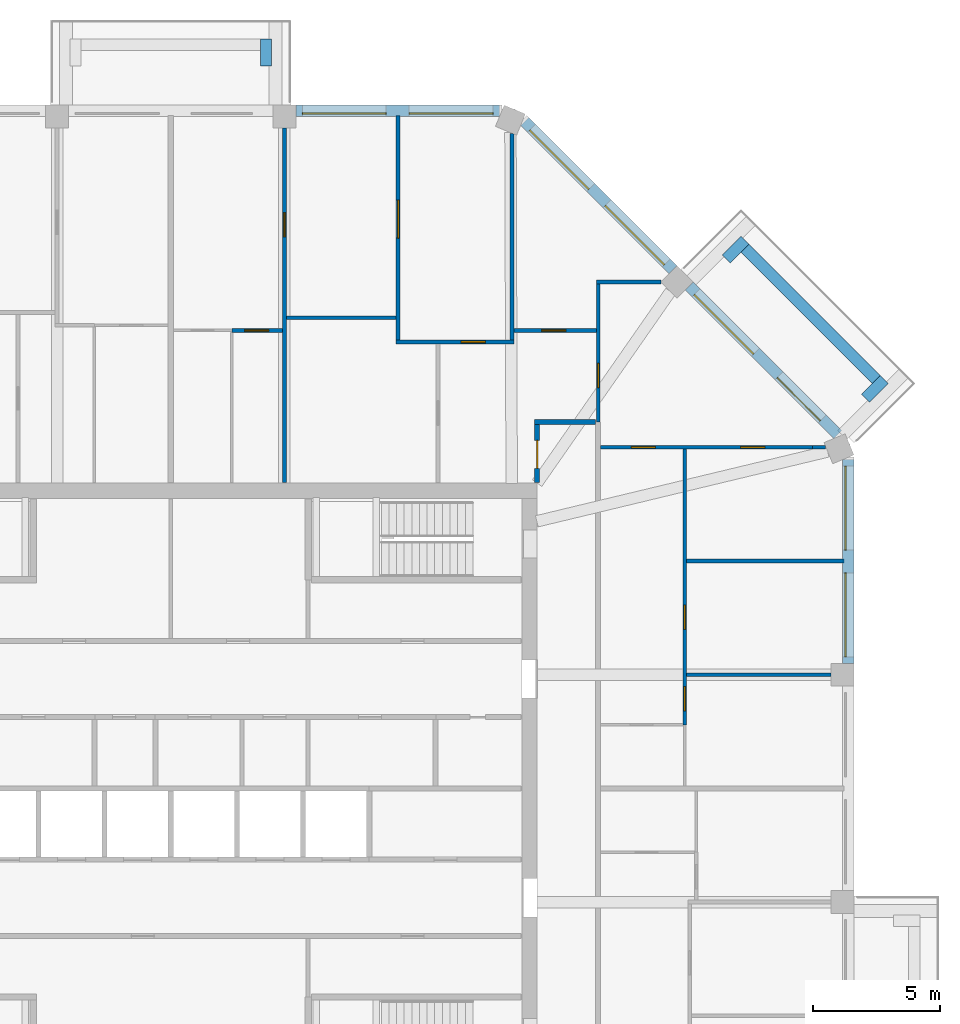
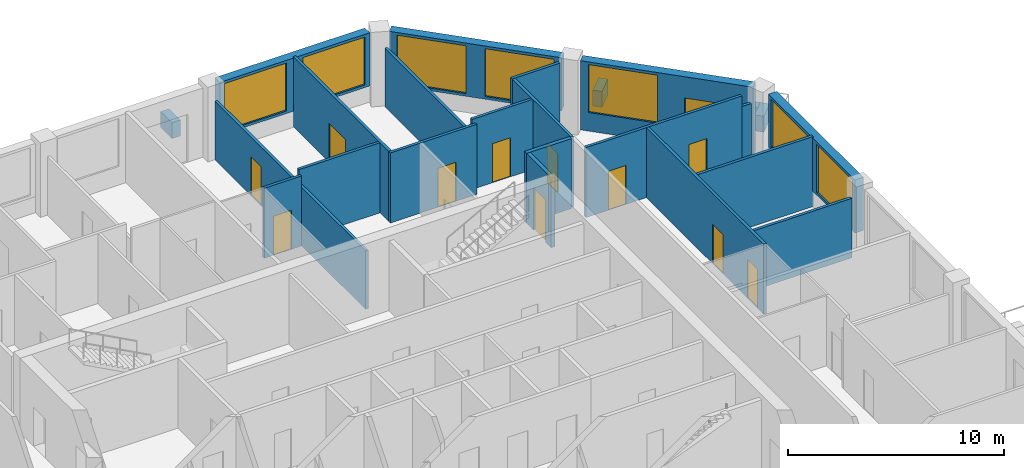
# One storey, part 9 of 11: 24 walls, 12 doors, 7 windows, 19 openings.
"""IFC4 building model written with IfcOpenShell, lengths in metres."""

from ifc_helpers import new_model, si_unit, direction, frame, frame_2d, origin, place, context, subcontext, project, spatial, rectangle, extrude, material, layer, layer_set, type_object, element, fill, save


model = new_model("IFC4")

# Units and contexts
model_context = context("Model", 3, precision=1e-05, world=origin(), true_north=direction((0.0, 1.0)))
body_context = subcontext(model_context, "Body", "Model", "MODEL_VIEW")
ifc_project = project(units=[si_unit("LENGTHUNIT", "METRE"), si_unit("AREAUNIT", "SQUARE_METRE"), si_unit("VOLUMEUNIT", "CUBIC_METRE"), si_unit("PLANEANGLEUNIT", "RADIAN"), si_unit("MASSUNIT", "GRAM", prefix="KILO")], contexts=[model_context])

# Site, building, storey
site_placement = place(None, origin())
site = spatial("IfcSite", under=ifc_project, at=site_placement, CompositionType="ELEMENT")
building_placement = place(site_placement, origin())
building = spatial("IfcBuilding", under=site, at=building_placement, Name="Msitu Wima Residences", CompositionType="ELEMENT")
storey_placement = place(building_placement, frame((0.0, 0.0, 234.89990234375)))
storey = spatial("IfcBuildingStorey", under=building, at=storey_placement, Name="L54", CompositionType="ELEMENT", Elevation=234.89990234375)

# Walls
ifc_material_1 = material(Name="Facing brick")
ifc_layer_1 = layer(ifc_material_1, 0.06494140625, Name="Facing brick")
ifc_material_2 = material(Name="Concrete C40/50", Category="concrete")
ifc_layer_2 = layer(ifc_material_2, 0.156005859375, Name="Concrete C40/50")
ifc_material_3 = material(Name="Waterproofing membrane")
ifc_layer_3 = layer(ifc_material_3, 0.00390625, Name="Waterproofing membrane")
ifc_material_4 = material(Name="Planting soil and planting")
ifc_layer_4 = layer(ifc_material_4, 0.22509765625, Name="Planting soil and planting")
ifc_layer_set_1 = layer_set([ifc_layer_1, ifc_layer_2, ifc_layer_3, ifc_layer_4], Name="Concrete C40/50")
wall_type_1 = type_object("IfcWallType", Name="Balcony planter PLANTER PL450", PredefinedType="USERDEFINED", material=ifc_layer_set_1)
wall_1_placement = place(storey_placement, frame((27.725830078125, 16.0751953125, 0.0), z_axis=(0.0, 0.0, 1.0), x_axis=(-0.707106781187, 0.707106781187, 0.0)))
element("IfcWall", 1, at=wall_1_placement, inside=storey, type_object=wall_type_1, Name="Balcony planter NE0 L54", ObjectType="PLANTER", PredefinedType="USERDEFINED", context=body_context, shape_type="SweptSolid", body=[
    extrude(rectangle(XDim=7.288330078125, YDim=0.449951171875, at=frame_2d((3.64404296875, 0.0))), origin(), (0.0, 0.0, 1.0), 0.900146484375),
])
for number, where, z_axis, x_axis, name in (
    (2, (27.301513671875, 15.332763671875, 0.0), (0.0, 0.0, 1.0), (0.707106781187, 0.707106781187, 0.0), "Balcony planter NE0 L54"),
    (3, (21.829833984375, 20.804443359375, 0.0), (0.0, 0.0, 1.0), (0.707106781187, 0.707106781187, 0.0), "Balcony planter NE0 L54"),
    (4, (3.74365234375, 28.39990234375, 0.0), (0.0, 0.0, 1.0), (0.0, 1.0, 0.0), "Balcony planter N1 L54"),
):
    element("IfcWall", number, at=place(storey_placement, frame(where, z_axis=z_axis, x_axis=x_axis)), inside=storey, type_object=wall_type_1, Name=name, ObjectType="PLANTER", PredefinedType="USERDEFINED", context=body_context, shape_type="SweptSolid", body=[
        extrude(rectangle(XDim=1.050048828125, YDim=0.449951171875, at=frame_2d((0.52490234375, 0.0))), origin(), (0.0, 0.0, 1.0), 0.900146484375),
    ])

# Wall, openings, windows
ifc_material_5 = material(Name="Brick (red buff mix)", Category="masonry")
ifc_layer_5 = layer(ifc_material_5, 0.449951171875)
ifc_layer_set_2 = layer_set([ifc_layer_5], Name="Brick (red buff mix)")
wall_type_2 = type_object("IfcWallType", Name="Brick infill wall BW450", PredefinedType="SOLIDWALL", material=ifc_layer_set_2)
wall_2_placement = place(storey_placement, frame((26.625, 4.918701171875, 0.900146484375), z_axis=(0.0, 0.0, 1.0), x_axis=(0.0, 1.0, 0.0)))
wall_2 = element("IfcWall", 5, at=wall_2_placement, inside=storey, type_object=wall_type_2, Name="Brick infill wall L54 E2", PredefinedType="SOLIDWALL", context=body_context, shape_type="SweptSolid", body=[
    extrude(rectangle(XDim=8.0, YDim=0.449951171875, at=frame_2d((4.0, 0.0))), origin(), (0.0, 0.0, 1.0), 3.0),
])
opening_1_placement = place(wall_2_placement, frame((0.25, 0.0, 0.14990234375)))
opening_1 = element("IfcOpeningElement", 6, at=opening_1_placement, cuts=wall_2, Name="Opening W52-54.004", PredefinedType="OPENING", context=body_context, shape_type="SweptSolid", body=[
    extrude(rectangle(XDim=3.300048828125, YDim=2.699951171875, at=frame_2d((1.64990234375, 1.35009765625))), frame((0.0, 0.23486328125, 0.0), z_axis=(0.0, -1.0, 0.0), x_axis=(1.0, 0.0, 0.0)), (0.0, 0.0, 1.0), 0.469970703125),
])
opening_2_placement = place(wall_2_placement, frame((4.4501953125, 0.0, 0.14990234375)))
opening_2 = element("IfcOpeningElement", 7, at=opening_2_placement, cuts=wall_2, Name="Opening W52-54.005", PredefinedType="OPENING", context=body_context, shape_type="SweptSolid", body=[
    extrude(rectangle(XDim=3.300048828125, YDim=2.699951171875, at=frame_2d((1.64990234375, 1.35009765625))), frame((0.0, 0.23486328125, 0.0), z_axis=(0.0, -1.0, 0.0), x_axis=(1.0, 0.0, 0.0)), (0.0, 0.0, 1.0), 0.469970703125),
])
ifc_material_6 = material(Name="Anodised aluminium, bronze finish, clear low-emissivity double glazing", Category="aluminium")
window_type = type_object("IfcWindowType", Name="Window W3300x2700", PartitioningType="DOUBLE_PANEL_VERTICAL", PredefinedType="WINDOW", material=ifc_material_6)
window_1_placement = place(opening_1_placement, origin())
window_1 = element("IfcWindow", 8, at=window_1_placement, inside=storey, type_object=window_type, Name="Window L54 E2.1", OverallHeight=2.699951171875, OverallWidth=3.300048828125, PartitioningType="SINGLE_PANEL", PredefinedType="WINDOW", context=body_context, shape_type="SweptSolid", body=[
    extrude(rectangle(XDim=3.300048828125, YDim=2.699951171875, at=frame_2d((1.64990234375, 1.35009765625))), frame((0.0, 0.135009765625, 0.0), z_axis=(0.0, -1.0, 0.0), x_axis=(1.0, 0.0, 0.0)), (0.0, 0.0, 1.0), 0.06005859375),
])
fill(opening_1, window_1)
window_2_placement = place(opening_2_placement, origin())
window_2 = element("IfcWindow", 9, at=window_2_placement, inside=storey, type_object=window_type, Name="Window L54 E2.2", OverallHeight=2.699951171875, OverallWidth=3.300048828125, PartitioningType="SINGLE_PANEL", PredefinedType="WINDOW", context=body_context, shape_type="SweptSolid", body=[
    extrude(rectangle(XDim=3.300048828125, YDim=2.699951171875, at=frame_2d((1.64990234375, 1.35009765625))), frame((0.0, 0.135009765625, 0.0), z_axis=(0.0, -1.0, 0.0), x_axis=(1.0, 0.0, 0.0)), (0.0, 0.0, 1.0), 0.06005859375),
])
fill(opening_2, window_2)

# Wall, openings, door, window
wall_3_placement = place(storey_placement, frame((26.214599609375, 13.909423828125, 0.0), z_axis=(0.0, 0.0, 1.0), x_axis=(-0.707106781187, 0.707106781187, 0.0)))
wall_3 = element("IfcWall", 10, at=wall_3_placement, inside=storey, type_object=wall_type_2, Name="Brick infill wall L54 NE0", PredefinedType="SOLIDWALL", context=body_context, shape_type="SweptSolid", body=[
    extrude(rectangle(XDim=8.251220703125, YDim=0.449951171875, at=frame_2d((4.12548828125, 0.0))), origin(), (0.0, 0.0, 1.0), 3.900146484375),
])
opening_3_placement = place(wall_3_placement, frame((0.86279296875, 0.0, 0.0)))
opening_3 = element("IfcOpeningElement", 11, at=opening_3_placement, cuts=wall_3, Name="Opening D52-54.003", PredefinedType="OPENING", context=body_context, shape_type="SweptSolid", body=[
    extrude(rectangle(XDim=2.39990234375, YDim=2.699951171875, at=frame_2d((1.199951171875, 1.35009765625))), frame((0.0, 0.23486328125, 0.0), z_axis=(0.0, -1.0, 0.0), x_axis=(1.0, 0.0, 0.0)), (0.0, 0.0, 1.0), 0.469970703125),
])
opening_4_placement = place(wall_3_placement, frame((4.57568359375, 0.0, 1.050048828125)))
opening_4 = element("IfcOpeningElement", 12, at=opening_4_placement, cuts=wall_3, Name="Opening W52-54.011", PredefinedType="OPENING", context=body_context, shape_type="SweptSolid", body=[
    extrude(rectangle(XDim=3.300048828125, YDim=2.699951171875, at=frame_2d((1.64990234375, 1.35009765625))), frame((0.0, 0.23486328125, 0.0), z_axis=(0.0, -1.0, 0.0), x_axis=(1.0, 0.0, 0.0)), (0.0, 0.0, 1.0), 0.469970703125),
])
door_type_1 = type_object("IfcDoorType", Name="Balcony door D2400x2700", OperationType="SLIDING_TO_LEFT", PredefinedType="DOOR", material=ifc_material_6)
door_1_placement = place(opening_3_placement, origin())
door_1 = element("IfcDoor", 13, at=door_1_placement, inside=storey, type_object=door_type_1, Name="Balcony door L54 NE0", OperationType="SINGLE_SWING_LEFT", OverallHeight=2.699951171875, OverallWidth=2.39990234375, PredefinedType="DOOR", context=body_context, shape_type="SweptSolid", body=[
    extrude(rectangle(XDim=2.39990234375, YDim=2.699951171875, at=frame_2d((1.199951171875, 1.35009765625))), frame((0.0, 0.1298828125, 0.0), z_axis=(0.0, -1.0, 0.0), x_axis=(1.0, 0.0, 0.0)), (0.0, 0.0, 1.0), 0.050048828125),
])
fill(opening_3, door_1)
window_3_placement = place(opening_4_placement, origin())
window_3 = element("IfcWindow", 14, at=window_3_placement, inside=storey, type_object=window_type, Name="Window L54 NE0.2", OverallHeight=2.699951171875, OverallWidth=3.300048828125, PartitioningType="SINGLE_PANEL", PredefinedType="WINDOW", context=body_context, shape_type="SweptSolid", body=[
    extrude(rectangle(XDim=3.300048828125, YDim=2.699951171875, at=frame_2d((1.64990234375, 1.35009765625))), frame((0.0, 0.135009765625, 0.0), z_axis=(0.0, -1.0, 0.0), x_axis=(1.0, 0.0, 0.0)), (0.0, 0.0, 1.0), 0.06005859375),
])
fill(opening_4, window_3)

# Wall, openings, windows
wall_4_placement = place(storey_placement, frame((19.743896484375, 20.380126953125, 0.900146484375), z_axis=(0.0, 0.0, 1.0), x_axis=(-0.707106781187, 0.707106781187, 0.0)))
wall_4 = element("IfcWall", 15, at=wall_4_placement, inside=storey, type_object=wall_type_2, Name="Brick infill wall L54 NE1", PredefinedType="SOLIDWALL", context=body_context, shape_type="SweptSolid", body=[
    extrude(rectangle(XDim=8.251220703125, YDim=0.449951171875, at=frame_2d((4.12548828125, 0.0))), origin(), (0.0, 0.0, 1.0), 3.0),
])
opening_5_placement = place(wall_4_placement, frame((0.37548828125, 0.0, 0.14990234375)))
opening_5 = element("IfcOpeningElement", 16, at=opening_5_placement, cuts=wall_4, Name="Opening W52-54.012", PredefinedType="OPENING", context=body_context, shape_type="SweptSolid", body=[
    extrude(rectangle(XDim=3.300048828125, YDim=2.699951171875, at=frame_2d((1.64990234375, 1.35009765625))), frame((0.0, 0.23486328125, 0.0), z_axis=(0.0, -1.0, 0.0), x_axis=(1.0, 0.0, 0.0)), (0.0, 0.0, 1.0), 0.469970703125),
])
opening_6_placement = place(wall_4_placement, frame((4.57568359375, 0.0, 0.14990234375)))
opening_6 = element("IfcOpeningElement", 17, at=opening_6_placement, cuts=wall_4, Name="Opening W52-54.013", PredefinedType="OPENING", context=body_context, shape_type="SweptSolid", body=[
    extrude(rectangle(XDim=3.300048828125, YDim=2.699951171875, at=frame_2d((1.64990234375, 1.35009765625))), frame((0.0, 0.23486328125, 0.0), z_axis=(0.0, -1.0, 0.0), x_axis=(1.0, 0.0, 0.0)), (0.0, 0.0, 1.0), 0.469970703125),
])
window_4_placement = place(opening_5_placement, origin())
window_4 = element("IfcWindow", 18, at=window_4_placement, inside=storey, type_object=window_type, Name="Window L54 NE1.1", OverallHeight=2.699951171875, OverallWidth=3.300048828125, PartitioningType="SINGLE_PANEL", PredefinedType="WINDOW", context=body_context, shape_type="SweptSolid", body=[
    extrude(rectangle(XDim=3.300048828125, YDim=2.699951171875, at=frame_2d((1.64990234375, 1.35009765625))), frame((0.0, 0.135009765625, 0.0), z_axis=(0.0, -1.0, 0.0), x_axis=(1.0, 0.0, 0.0)), (0.0, 0.0, 1.0), 0.06005859375),
])
fill(opening_5, window_4)
window_5_placement = place(opening_6_placement, origin())
window_5 = element("IfcWindow", 19, at=window_5_placement, inside=storey, type_object=window_type, Name="Window L54 NE1.2", OverallHeight=2.699951171875, OverallWidth=3.300048828125, PartitioningType="SINGLE_PANEL", PredefinedType="WINDOW", context=body_context, shape_type="SweptSolid", body=[
    extrude(rectangle(XDim=3.300048828125, YDim=2.699951171875, at=frame_2d((1.64990234375, 1.35009765625))), frame((0.0, 0.135009765625, 0.0), z_axis=(0.0, -1.0, 0.0), x_axis=(1.0, 0.0, 0.0)), (0.0, 0.0, 1.0), 0.06005859375),
])
fill(opening_6, window_5)

wall_5_placement = place(storey_placement, frame((12.918701171875, 26.625, 0.900146484375), z_axis=(0.0, 0.0, 1.0), x_axis=(-1.0, 0.0, 0.0)))
wall_5 = element("IfcWall", 20, at=wall_5_placement, inside=storey, type_object=wall_type_2, Name="Brick infill wall L54 N0", PredefinedType="SOLIDWALL", context=body_context, shape_type="SweptSolid", body=[
    extrude(rectangle(XDim=8.0, YDim=0.449951171875, at=frame_2d((4.0, 0.0))), origin(), (0.0, 0.0, 1.0), 3.0),
])
opening_7_placement = place(wall_5_placement, frame((0.25, 0.0, 0.14990234375)))
opening_7 = element("IfcOpeningElement", 21, at=opening_7_placement, cuts=wall_5, Name="Opening W52-54.006", PredefinedType="OPENING", context=body_context, shape_type="SweptSolid", body=[
    extrude(rectangle(XDim=3.300048828125, YDim=2.699951171875, at=frame_2d((1.64990234375, 1.35009765625))), frame((0.0, 0.23486328125, 0.0), z_axis=(0.0, -1.0, 0.0), x_axis=(1.0, 0.0, 0.0)), (0.0, 0.0, 1.0), 0.469970703125),
])
opening_8_placement = place(wall_5_placement, frame((4.4501953125, 0.0, 0.14990234375)))
opening_8 = element("IfcOpeningElement", 22, at=opening_8_placement, cuts=wall_5, Name="Opening W52-54.007", PredefinedType="OPENING", context=body_context, shape_type="SweptSolid", body=[
    extrude(rectangle(XDim=3.300048828125, YDim=2.699951171875, at=frame_2d((1.64990234375, 1.35009765625))), frame((0.0, 0.23486328125, 0.0), z_axis=(0.0, -1.0, 0.0), x_axis=(1.0, 0.0, 0.0)), (0.0, 0.0, 1.0), 0.469970703125),
])
window_6_placement = place(opening_7_placement, origin())
window_6 = element("IfcWindow", 23, at=window_6_placement, inside=storey, type_object=window_type, Name="Window L54 N0.1", OverallHeight=2.699951171875, OverallWidth=3.300048828125, PartitioningType="SINGLE_PANEL", PredefinedType="WINDOW", context=body_context, shape_type="SweptSolid", body=[
    extrude(rectangle(XDim=3.300048828125, YDim=2.699951171875, at=frame_2d((1.64990234375, 1.35009765625))), frame((0.0, 0.135009765625, 0.0), z_axis=(0.0, -1.0, 0.0), x_axis=(1.0, 0.0, 0.0)), (0.0, 0.0, 1.0), 0.06005859375),
])
fill(opening_7, window_6)
window_7_placement = place(opening_8_placement, origin())
window_7 = element("IfcWindow", 24, at=window_7_placement, inside=storey, type_object=window_type, Name="Window L54 N0.2", OverallHeight=2.699951171875, OverallWidth=3.300048828125, PartitioningType="SINGLE_PANEL", PredefinedType="WINDOW", context=body_context, shape_type="SweptSolid", body=[
    extrude(rectangle(XDim=3.300048828125, YDim=2.699951171875, at=frame_2d((1.64990234375, 1.35009765625))), frame((0.0, 0.135009765625, 0.0), z_axis=(0.0, -1.0, 0.0), x_axis=(1.0, 0.0, 0.0)), (0.0, 0.0, 1.0), 0.06005859375),
])
fill(opening_8, window_7)

# Wall, opening, door
ifc_material_7 = material(Name="Plaster")
ifc_layer_6 = layer(ifc_material_7, 0.011962890625, Name="Plaster")
ifc_material_8 = material(Name="Concrete blockwork", Category="masonry")
ifc_layer_7 = layer(ifc_material_8, 0.176025390625, Name="Concrete blockwork")
ifc_layer_8 = layer(ifc_material_7, 0.011962890625, Name="Plaster")
ifc_layer_set_3 = layer_set([ifc_layer_6, ifc_layer_7, ifc_layer_8], Name="Concrete blockwork")
wall_type_3 = type_object("IfcWallType", Name="Corridor wall FW200", PredefinedType="PARTITIONING", material=ifc_layer_set_3)
wall_6_placement = place(storey_placement, frame((14.39990234375, 12.030029296875, 0.0), z_axis=(0.0, 0.0, 1.0), x_axis=(0.0, 1.0, 0.0)))
wall_6 = element("IfcWall", 25, at=wall_6_placement, inside=storey, type_object=wall_type_3, Name="Corridor wall", PredefinedType="PARTITIONING", context=body_context, shape_type="SweptSolid", body=[
    extrude(rectangle(XDim=2.27001953125, YDim=0.199951171875, at=frame_2d((1.135009765625, 0.0))), origin(), (0.0, 0.0, 1.0), 3.9501953125),
])
opening_9_placement = place(wall_6_placement, frame((0.550048828125, 0.0, 0.0)))
opening_9 = element("IfcOpeningElement", 26, at=opening_9_placement, cuts=wall_6, Name="Opening D52-54.008", PredefinedType="OPENING", context=body_context, shape_type="SweptSolid", body=[
    extrude(rectangle(XDim=1.10009765625, YDim=2.39990234375, at=frame_2d((0.550048828125, 1.199951171875))), frame((0.0, 0.10986328125, 0.0), z_axis=(0.0, -1.0, 0.0), x_axis=(1.0, 0.0, 0.0)), (0.0, 0.0, 1.0), 0.219970703125),
])
ifc_material_9 = material(Name="Timber flush door, fire resisting, self-closing", Category="wood")
door_type_2 = type_object("IfcDoorType", Name="Flat entrance door D01 1100x2400", OperationType="SINGLE_SWING_LEFT", PredefinedType="DOOR", material=ifc_material_9)
door_2_placement = place(opening_9_placement, origin())
door_2 = element("IfcDoor", 27, at=door_2_placement, inside=storey, type_object=door_type_2, Name="Flat entrance door", OperationType="SINGLE_SWING_LEFT", OverallHeight=2.39990234375, OverallWidth=1.10009765625, PredefinedType="DOOR", context=body_context, shape_type="SweptSolid", body=[
    extrude(rectangle(XDim=1.10009765625, YDim=2.39990234375, at=frame_2d((0.550048828125, 1.199951171875))), frame((0.0, 0.02490234375, 0.0), z_axis=(0.0, -1.0, 0.0), x_axis=(1.0, 0.0, 0.0)), (0.0, 0.0, 1.0), 0.050048828125),
])
fill(opening_9, door_2)

# Wall
wall_7_placement = place(storey_placement, frame((14.300048828125, 14.39990234375, 0.0), z_axis=(0.0, 0.0, 1.0), x_axis=(1.0, 0.0, 0.0)))
element("IfcWall", 28, at=wall_7_placement, inside=storey, type_object=wall_type_3, Name="Corridor wall", PredefinedType="PARTITIONING", context=body_context, shape_type="SweptSolid", body=[
    extrude(rectangle(XDim=2.39990234375, YDim=0.199951171875, at=frame_2d((1.199951171875, 0.0))), origin(), (0.0, 0.0, 1.0), 3.9501953125),
])

# Wall, opening, door
ifc_layer_9 = layer(ifc_material_7, 0.011962890625, Name="Plaster")
ifc_layer_10 = layer(ifc_material_8, 0.1259765625, Name="Concrete blockwork")
ifc_layer_11 = layer(ifc_material_7, 0.011962890625, Name="Plaster")
ifc_layer_set_4 = layer_set([ifc_layer_9, ifc_layer_10, ifc_layer_11], Name="Concrete blockwork")
wall_type_4 = type_object("IfcWallType", Name="Partition PW150", PredefinedType="PARTITIONING", material=ifc_layer_set_4)
wall_8_placement = place(storey_placement, frame((2.39990234375, 18.0, 0.0), z_axis=(0.0, 0.0, 1.0), x_axis=(1.0, 0.0, 0.0)))
wall_8 = element("IfcWall", 29, at=wall_8_placement, inside=storey, type_object=wall_type_4, Name="Partition", PredefinedType="PARTITIONING", context=body_context, shape_type="SweptSolid", body=[
    extrude(rectangle(XDim=1.99365234375, YDim=0.14990234375, at=frame_2d((0.996826171875, 0.0))), origin(), (0.0, 0.0, 1.0), 3.9501953125),
])
opening_10_placement = place(wall_8_placement, frame((0.5, 0.0, 0.0)))
opening_10 = element("IfcOpeningElement", 30, at=opening_10_placement, cuts=wall_8, Name="Opening D52-54.013", PredefinedType="OPENING", context=body_context, shape_type="SweptSolid", body=[
    extrude(rectangle(XDim=0.949951171875, YDim=2.199951171875, at=frame_2d((0.47509765625, 1.10009765625))), frame((0.0, 0.0849609375, 0.0), z_axis=(0.0, -1.0, 0.0), x_axis=(1.0, 0.0, 0.0)), (0.0, 0.0, 1.0), 0.169921875),
])
ifc_material_10 = material(Name="Timber flush door", Category="wood")
door_type_3 = type_object("IfcDoorType", Name="Room door D12 950x2200", OperationType="SINGLE_SWING_LEFT", PredefinedType="DOOR", material=ifc_material_10)
door_3_placement = place(opening_10_placement, origin())
door_3 = element("IfcDoor", 31, at=door_3_placement, inside=storey, type_object=door_type_3, Name="Room door", OperationType="SINGLE_SWING_RIGHT", OverallHeight=2.199951171875, OverallWidth=0.949951171875, PredefinedType="DOOR", context=body_context, shape_type="SweptSolid", body=[
    extrude(rectangle(XDim=0.949951171875, YDim=2.199951171875, at=frame_2d((0.47509765625, 1.10009765625))), frame((0.0, 0.02490234375, 0.0), z_axis=(0.0, -1.0, 0.0), x_axis=(1.0, 0.0, 0.0)), (0.0, 0.0, 1.0), 0.050048828125),
])
fill(opening_10, door_3)

wall_9_placement = place(storey_placement, frame((4.46875, 12.030029296875, 0.0), z_axis=(0.0, 0.0, 1.0), x_axis=(0.0, 1.0, 0.0)))
wall_9 = element("IfcWall", 32, at=wall_9_placement, inside=storey, type_object=wall_type_4, Name="Partition", PredefinedType="PARTITIONING", context=body_context, shape_type="SweptSolid", body=[
    extrude(rectangle(XDim=13.919921875, YDim=0.14990234375, at=frame_2d((6.9599609375, 0.0))), origin(), (0.0, 0.0, 1.0), 3.300048828125),
])
opening_11_placement = place(wall_9_placement, frame((9.64990234375, 0.0, 0.0)))
opening_11 = element("IfcOpeningElement", 33, at=opening_11_placement, cuts=wall_9, Name="Opening D52-54.010", PredefinedType="OPENING", context=body_context, shape_type="SweptSolid", body=[
    extrude(rectangle(XDim=0.949951171875, YDim=2.199951171875, at=frame_2d((0.47509765625, 1.10009765625))), frame((0.0, 0.0849609375, 0.0), z_axis=(0.0, -1.0, 0.0), x_axis=(1.0, 0.0, 0.0)), (0.0, 0.0, 1.0), 0.169921875),
])
door_4_placement = place(opening_11_placement, origin())
door_4 = element("IfcDoor", 34, at=door_4_placement, inside=storey, type_object=door_type_3, Name="Room door", OperationType="SINGLE_SWING_RIGHT", OverallHeight=2.199951171875, OverallWidth=0.949951171875, PredefinedType="DOOR", context=body_context, shape_type="SweptSolid", body=[
    extrude(rectangle(XDim=0.949951171875, YDim=2.199951171875, at=frame_2d((0.47509765625, 1.10009765625))), frame((0.0, 0.02490234375, 0.0), z_axis=(0.0, -1.0, 0.0), x_axis=(1.0, 0.0, 0.0)), (0.0, 0.0, 1.0), 0.050048828125),
])
fill(opening_11, door_4)

# Wall
wall_10_placement = place(storey_placement, frame((4.543701171875, 18.5, 0.0), z_axis=(0.0, 0.0, 1.0), x_axis=(1.0, 0.0, 0.0)))
element("IfcWall", 35, at=wall_10_placement, inside=storey, type_object=wall_type_4, Name="Partition", PredefinedType="PARTITIONING", context=body_context, shape_type="SweptSolid", body=[
    extrude(rectangle(XDim=4.318603515625, YDim=0.14990234375, at=frame_2d((2.1591796875, 0.0))), origin(), (0.0, 0.0, 1.0), 3.9501953125),
])

# Wall, opening, door
wall_11_placement = place(storey_placement, frame((8.937255859375, 17.625, 0.0), z_axis=(0.0, 0.0, 1.0), x_axis=(0.0, 1.0, 0.0)))
wall_11 = element("IfcWall", 36, at=wall_11_placement, inside=storey, type_object=wall_type_4, Name="Partition", PredefinedType="PARTITIONING", context=body_context, shape_type="SweptSolid", body=[
    extrude(rectangle(XDim=8.830078125, YDim=0.14990234375, at=frame_2d((4.4150390625, 0.0))), origin(), (0.0, 0.0, 1.0), 3.9501953125),
])
opening_12_placement = place(wall_11_placement, frame((4.0, 0.0, 0.0)))
opening_12 = element("IfcOpeningElement", 37, at=opening_12_placement, cuts=wall_11, Name="Opening D52-54.017", PredefinedType="OPENING", context=body_context, shape_type="SweptSolid", body=[
    extrude(rectangle(XDim=1.5, YDim=2.199951171875, at=frame_2d((0.75, 1.10009765625))), frame((0.0, 0.0849609375, 0.0), z_axis=(0.0, -1.0, 0.0), x_axis=(1.0, 0.0, 0.0)), (0.0, 0.0, 1.0), 0.169921875),
])
ifc_material_11 = material(Name="Timber double door", Category="wood")
door_type_4 = type_object("IfcDoorType", Name="Double door D04 1500x2200", OperationType="DOUBLE_DOOR_SINGLE_SWING", PredefinedType="DOOR", material=ifc_material_11)
door_5_placement = place(opening_12_placement, origin())
door_5 = element("IfcDoor", 38, at=door_5_placement, inside=storey, type_object=door_type_4, Name="Double door", OperationType="DOUBLE_DOOR_SINGLE_SWING", OverallHeight=2.199951171875, OverallWidth=1.5, PredefinedType="DOOR", context=body_context, shape_type="SweptSolid", body=[
    extrude(rectangle(XDim=1.5, YDim=2.199951171875, at=frame_2d((0.75, 1.10009765625))), frame((0.0, 0.02490234375, 0.0), z_axis=(0.0, -1.0, 0.0), x_axis=(1.0, 0.0, 0.0)), (0.0, 0.0, 1.0), 0.050048828125),
])
fill(opening_12, door_5)

wall_12_placement = place(storey_placement, frame((8.8623046875, 17.550048828125, 0.0), z_axis=(0.0, 0.0, 1.0), x_axis=(1.0, 0.0, 0.0)))
wall_12 = element("IfcWall", 39, at=wall_12_placement, inside=storey, type_object=wall_type_4, Name="Partition", PredefinedType="PARTITIONING", context=body_context, shape_type="SweptSolid", body=[
    extrude(rectangle(XDim=4.61865234375, YDim=0.14990234375, at=frame_2d((2.309326171875, 0.0))), origin(), (0.0, 0.0, 1.0), 3.9501953125),
])
opening_13_placement = place(wall_12_placement, frame((2.550048828125, 0.0, 0.0)))
opening_13 = element("IfcOpeningElement", 40, at=opening_13_placement, cuts=wall_12, Name="Opening D52-54.014", PredefinedType="OPENING", context=body_context, shape_type="SweptSolid", body=[
    extrude(rectangle(XDim=0.949951171875, YDim=2.199951171875, at=frame_2d((0.47509765625, 1.10009765625))), frame((0.0, 0.0849609375, 0.0), z_axis=(0.0, -1.0, 0.0), x_axis=(1.0, 0.0, 0.0)), (0.0, 0.0, 1.0), 0.169921875),
])
door_6_placement = place(opening_13_placement, origin())
door_6 = element("IfcDoor", 41, at=door_6_placement, inside=storey, type_object=door_type_3, Name="Room door", OperationType="SINGLE_SWING_RIGHT", OverallHeight=2.199951171875, OverallWidth=0.949951171875, PredefinedType="DOOR", context=body_context, shape_type="SweptSolid", body=[
    extrude(rectangle(XDim=0.949951171875, YDim=2.199951171875, at=frame_2d((0.47509765625, 1.10009765625))), frame((0.0, 0.02490234375, 0.0), z_axis=(0.0, -1.0, 0.0), x_axis=(1.0, 0.0, 0.0)), (0.0, 0.0, 1.0), 0.050048828125),
])
fill(opening_13, door_6)

# Wall
wall_13_placement = place(storey_placement, frame((13.406005859375, 17.625, 0.0), z_axis=(0.0, 0.0, 1.0), x_axis=(0.0, 1.0, 0.0)))
element("IfcWall", 42, at=wall_13_placement, inside=storey, type_object=wall_type_4, Name="Partition", PredefinedType="PARTITIONING", context=body_context, shape_type="SweptSolid", body=[
    extrude(rectangle(XDim=8.106201171875, YDim=0.14990234375, at=frame_2d((4.05322265625, 0.0))), origin(), (0.0, 0.0, 1.0), 3.300048828125),
])

# Wall, opening, door
wall_14_placement = place(storey_placement, frame((13.48095703125, 18.0, 0.0), z_axis=(0.0, 0.0, 1.0), x_axis=(1.0, 0.0, 0.0)))
wall_14 = element("IfcWall", 43, at=wall_14_placement, inside=storey, type_object=wall_type_4, Name="Partition", PredefinedType="PARTITIONING", context=body_context, shape_type="SweptSolid", body=[
    extrude(rectangle(XDim=3.244140625, YDim=0.14990234375, at=frame_2d((1.6220703125, 0.0))), origin(), (0.0, 0.0, 1.0), 3.9501953125),
])
opening_14_placement = place(wall_14_placement, frame((1.10009765625, 0.0, 0.0)))
opening_14 = element("IfcOpeningElement", 44, at=opening_14_placement, cuts=wall_14, Name="Opening D52-54.015", PredefinedType="OPENING", context=body_context, shape_type="SweptSolid", body=[
    extrude(rectangle(XDim=0.949951171875, YDim=2.199951171875, at=frame_2d((0.47509765625, 1.10009765625))), frame((0.0, 0.0849609375, 0.0), z_axis=(0.0, -1.0, 0.0), x_axis=(1.0, 0.0, 0.0)), (0.0, 0.0, 1.0), 0.169921875),
])
door_7_placement = place(opening_14_placement, origin())
door_7 = element("IfcDoor", 45, at=door_7_placement, inside=storey, type_object=door_type_3, Name="Room door", OperationType="SINGLE_SWING_LEFT", OverallHeight=2.199951171875, OverallWidth=0.949951171875, PredefinedType="DOOR", context=body_context, shape_type="SweptSolid", body=[
    extrude(rectangle(XDim=0.949951171875, YDim=2.199951171875, at=frame_2d((0.47509765625, 1.10009765625))), frame((0.0, 0.02490234375, 0.0), z_axis=(0.0, -1.0, 0.0), x_axis=(1.0, 0.0, 0.0)), (0.0, 0.0, 1.0), 0.050048828125),
])
fill(opening_14, door_7)

# Wall, openings, doors
wall_15_placement = place(storey_placement, frame((16.89990234375, 13.406005859375, 0.0), z_axis=(0.0, 0.0, 1.0), x_axis=(1.0, 0.0, 0.0)))
wall_15 = element("IfcWall", 46, at=wall_15_placement, inside=storey, type_object=wall_type_4, Name="Partition", PredefinedType="PARTITIONING", context=body_context, shape_type="SweptSolid", body=[
    extrude(rectangle(XDim=8.32421875, YDim=0.14990234375, at=frame_2d((4.162109375, 0.0))), origin(), (0.0, 0.0, 1.0), 3.9501953125),
])
opening_15_placement = place(wall_15_placement, frame((1.199951171875, 0.0, 0.0)))
opening_15 = element("IfcOpeningElement", 47, at=opening_15_placement, cuts=wall_15, Name="Opening D52-54.018", PredefinedType="OPENING", context=body_context, shape_type="SweptSolid", body=[
    extrude(rectangle(XDim=0.949951171875, YDim=2.199951171875, at=frame_2d((0.47509765625, 1.10009765625))), frame((0.0, 0.0849609375, 0.0), z_axis=(0.0, -1.0, 0.0), x_axis=(1.0, 0.0, 0.0)), (0.0, 0.0, 1.0), 0.169921875),
])
opening_16_placement = place(wall_15_placement, frame((5.5, 0.0, 0.0)))
opening_16 = element("IfcOpeningElement", 48, at=opening_16_placement, cuts=wall_15, Name="Opening D52-54.021", PredefinedType="OPENING", context=body_context, shape_type="SweptSolid", body=[
    extrude(rectangle(XDim=0.949951171875, YDim=2.199951171875, at=frame_2d((0.47509765625, 1.10009765625))), frame((0.0, 0.0849609375, 0.0), z_axis=(0.0, -1.0, 0.0), x_axis=(1.0, 0.0, 0.0)), (0.0, 0.0, 1.0), 0.169921875),
])
door_8_placement = place(opening_15_placement, origin())
door_8 = element("IfcDoor", 49, at=door_8_placement, inside=storey, type_object=door_type_3, Name="Room door", OperationType="SINGLE_SWING_LEFT", OverallHeight=2.199951171875, OverallWidth=0.949951171875, PredefinedType="DOOR", context=body_context, shape_type="SweptSolid", body=[
    extrude(rectangle(XDim=0.949951171875, YDim=2.199951171875, at=frame_2d((0.47509765625, 1.10009765625))), frame((0.0, 0.02490234375, 0.0), z_axis=(0.0, -1.0, 0.0), x_axis=(1.0, 0.0, 0.0)), (0.0, 0.0, 1.0), 0.050048828125),
])
fill(opening_15, door_8)
door_9_placement = place(opening_16_placement, origin())
door_9 = element("IfcDoor", 50, at=door_9_placement, inside=storey, type_object=door_type_3, Name="Room door", OperationType="SINGLE_SWING_RIGHT", OverallHeight=2.199951171875, OverallWidth=0.949951171875, PredefinedType="DOOR", context=body_context, shape_type="SweptSolid", body=[
    extrude(rectangle(XDim=0.949951171875, YDim=2.199951171875, at=frame_2d((0.47509765625, 1.10009765625))), frame((0.0, 0.02490234375, 0.0), z_axis=(0.0, -1.0, 0.0), x_axis=(1.0, 0.0, 0.0)), (0.0, 0.0, 1.0), 0.050048828125),
])
fill(opening_16, door_9)

# Wall
wall_16_placement = place(storey_placement, frame((25.22412109375, 13.406005859375, 0.0), z_axis=(0.0, 0.0, 1.0), x_axis=(1.0, 0.0, 0.0)))
element("IfcWall", 51, at=wall_16_placement, inside=storey, type_object=wall_type_4, Name="Partition", PredefinedType="PARTITIONING", context=body_context, shape_type="SweptSolid", body=[
    extrude(rectangle(XDim=0.507080078125, YDim=0.14990234375, at=frame_2d((0.25341796875, 0.0))), origin(), (0.0, 0.0, 1.0), 3.35009765625),
])

# Wall, opening, door
wall_17_placement = place(storey_placement, frame((16.800048828125, 14.39990234375, 0.0), z_axis=(0.0, 0.0, 1.0), x_axis=(0.0, 1.0, 0.0)))
wall_17 = element("IfcWall", 52, at=wall_17_placement, inside=storey, type_object=wall_type_4, Name="Partition", PredefinedType="PARTITIONING", context=body_context, shape_type="SweptSolid", body=[
    extrude(rectangle(XDim=5.427978515625, YDim=0.14990234375, at=frame_2d((2.7138671875, 0.0))), origin(), (0.0, 0.0, 1.0), 3.9501953125),
])
opening_17_placement = place(wall_17_placement, frame((1.35009765625, 0.0, 0.0)))
opening_17 = element("IfcOpeningElement", 53, at=opening_17_placement, cuts=wall_17, Name="Opening D52-54.016", PredefinedType="OPENING", context=body_context, shape_type="SweptSolid", body=[
    extrude(rectangle(XDim=0.949951171875, YDim=2.199951171875, at=frame_2d((0.47509765625, 1.10009765625))), frame((0.0, 0.0849609375, 0.0), z_axis=(0.0, -1.0, 0.0), x_axis=(1.0, 0.0, 0.0)), (0.0, 0.0, 1.0), 0.169921875),
])
door_10_placement = place(opening_17_placement, origin())
door_10 = element("IfcDoor", 54, at=door_10_placement, inside=storey, type_object=door_type_3, Name="Room door", OperationType="SINGLE_SWING_RIGHT", OverallHeight=2.199951171875, OverallWidth=0.949951171875, PredefinedType="DOOR", context=body_context, shape_type="SweptSolid", body=[
    extrude(rectangle(XDim=0.949951171875, YDim=2.199951171875, at=frame_2d((0.47509765625, 1.10009765625))), frame((0.0, 0.02490234375, 0.0), z_axis=(0.0, -1.0, 0.0), x_axis=(1.0, 0.0, 0.0)), (0.0, 0.0, 1.0), 0.050048828125),
])
fill(opening_17, door_10)

# Wall
wall_18_placement = place(storey_placement, frame((16.72509765625, 19.90283203125, 0.0), z_axis=(0.0, 0.0, 1.0), x_axis=(1.0, 0.0, 0.0)))
element("IfcWall", 55, at=wall_18_placement, inside=storey, type_object=wall_type_4, Name="Partition", PredefinedType="PARTITIONING", context=body_context, shape_type="SweptSolid", body=[
    extrude(rectangle(XDim=2.54150390625, YDim=0.14990234375, at=frame_2d((1.270751953125, 0.0))), origin(), (0.0, 0.0, 1.0), 3.9501953125),
])

# Wall, openings, doors
wall_19_placement = place(storey_placement, frame((20.199951171875, 2.5, 0.0), z_axis=(0.0, 0.0, 1.0), x_axis=(0.0, 1.0, 0.0)))
wall_19 = element("IfcWall", 56, at=wall_19_placement, inside=storey, type_object=wall_type_4, Name="Partition", PredefinedType="PARTITIONING", context=body_context, shape_type="SweptSolid", body=[
    extrude(rectangle(XDim=10.830810546875, YDim=0.14990234375, at=frame_2d((5.41552734375, 0.0))), origin(), (0.0, 0.0, 1.0), 3.9501953125),
])
opening_18_placement = place(wall_19_placement, frame((0.550048828125, 0.0, 0.0)))
opening_18 = element("IfcOpeningElement", 57, at=opening_18_placement, cuts=wall_19, Name="Opening D52-54.019", PredefinedType="OPENING", context=body_context, shape_type="SweptSolid", body=[
    extrude(rectangle(XDim=0.949951171875, YDim=2.199951171875, at=frame_2d((0.47509765625, 1.10009765625))), frame((0.0, 0.0849609375, 0.0), z_axis=(0.0, -1.0, 0.0), x_axis=(1.0, 0.0, 0.0)), (0.0, 0.0, 1.0), 0.169921875),
])
opening_19_placement = place(wall_19_placement, frame((3.75, 0.0, 0.0)))
opening_19 = element("IfcOpeningElement", 58, at=opening_19_placement, cuts=wall_19, Name="Opening D52-54.020", PredefinedType="OPENING", context=body_context, shape_type="SweptSolid", body=[
    extrude(rectangle(XDim=0.949951171875, YDim=2.199951171875, at=frame_2d((0.47509765625, 1.10009765625))), frame((0.0, 0.0849609375, 0.0), z_axis=(0.0, -1.0, 0.0), x_axis=(1.0, 0.0, 0.0)), (0.0, 0.0, 1.0), 0.169921875),
])
door_11_placement = place(opening_18_placement, origin())
door_11 = element("IfcDoor", 59, at=door_11_placement, inside=storey, type_object=door_type_3, Name="Room door", OperationType="SINGLE_SWING_LEFT", OverallHeight=2.199951171875, OverallWidth=0.949951171875, PredefinedType="DOOR", context=body_context, shape_type="SweptSolid", body=[
    extrude(rectangle(XDim=0.949951171875, YDim=2.199951171875, at=frame_2d((0.47509765625, 1.10009765625))), frame((0.0, 0.02490234375, 0.0), z_axis=(0.0, -1.0, 0.0), x_axis=(1.0, 0.0, 0.0)), (0.0, 0.0, 1.0), 0.050048828125),
])
fill(opening_18, door_11)
door_12_placement = place(opening_19_placement, origin())
door_12 = element("IfcDoor", 60, at=door_12_placement, inside=storey, type_object=door_type_3, Name="Room door", OperationType="SINGLE_SWING_LEFT", OverallHeight=2.199951171875, OverallWidth=0.949951171875, PredefinedType="DOOR", context=body_context, shape_type="SweptSolid", body=[
    extrude(rectangle(XDim=0.949951171875, YDim=2.199951171875, at=frame_2d((0.47509765625, 1.10009765625))), frame((0.0, 0.02490234375, 0.0), z_axis=(0.0, -1.0, 0.0), x_axis=(1.0, 0.0, 0.0)), (0.0, 0.0, 1.0), 0.050048828125),
])
fill(opening_19, door_12)

# Walls
wall_20_placement = place(storey_placement, frame((20.27490234375, 4.46875, 0.0), z_axis=(0.0, 0.0, 1.0), x_axis=(1.0, 0.0, 0.0)))
element("IfcWall", 61, at=wall_20_placement, inside=storey, type_object=wall_type_4, Name="Partition", PredefinedType="PARTITIONING", context=body_context, shape_type="SweptSolid", body=[
    extrude(rectangle(XDim=5.675048828125, YDim=0.14990234375, at=frame_2d((2.83740234375, 0.0))), origin(), (0.0, 0.0, 1.0), 3.35009765625),
])
wall_21_placement = place(storey_placement, frame((20.27490234375, 8.937255859375, 0.0), z_axis=(0.0, 0.0, 1.0), x_axis=(1.0, 0.0, 0.0)))
element("IfcWall", 62, at=wall_21_placement, inside=storey, type_object=wall_type_4, Name="Partition", PredefinedType="PARTITIONING", context=body_context, shape_type="SweptSolid", body=[
    extrude(rectangle(XDim=6.18017578125, YDim=0.14990234375, at=frame_2d((3.090087890625, 0.0))), origin(), (0.0, 0.0, 1.0), 3.9501953125),
])

save(model, "model.ifc")
